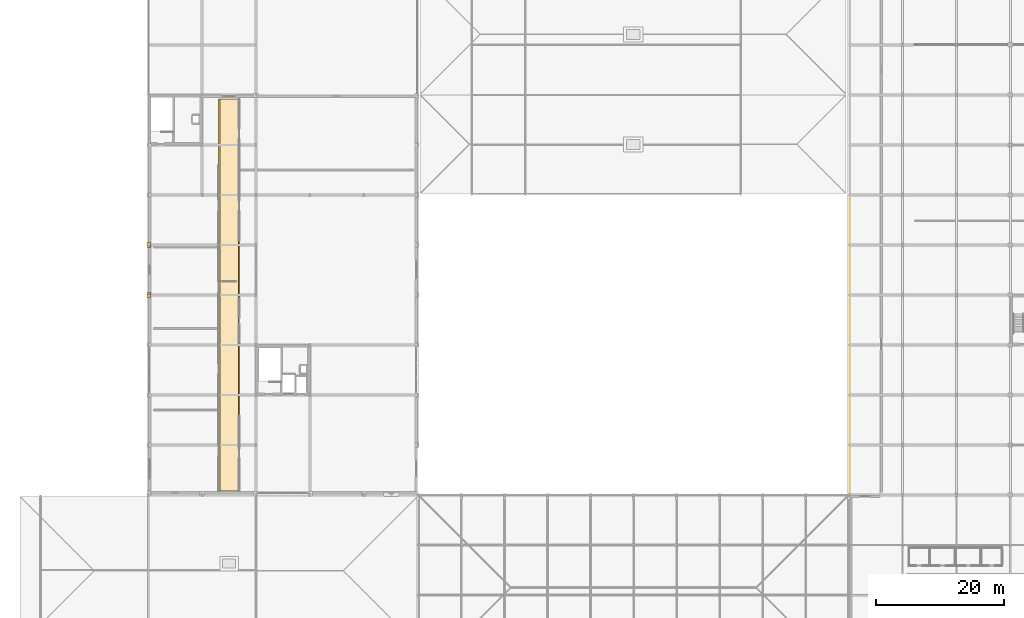
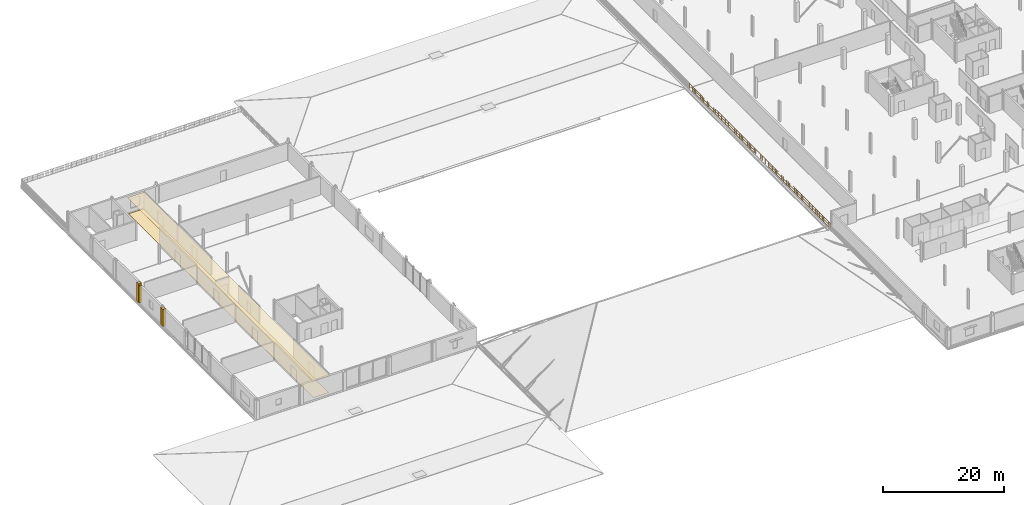
# One storey, part 70 of 77: 6 coverings, 1 railing.
"""IFC4 building model written with IfcOpenShell, lengths in metres."""

from ifc_helpers import new_model, si_unit, direction, frame, origin, origin_2d, place, context, subcontext, project, spatial, polyline, circle, outline, extrude, material, layer, layer_set, type_object, element, save


model = new_model("IFC4")

# Units and contexts
model_context = context("Model", 3, precision=1e-05, world=origin(), true_north=direction((0.0, 1.0)))
body_context = subcontext(model_context, "Body", "Model", "MODEL_VIEW")
ifc_project = project(units=[si_unit("LENGTHUNIT", "METRE"), si_unit("AREAUNIT", "SQUARE_METRE"), si_unit("VOLUMEUNIT", "CUBIC_METRE"), si_unit("PLANEANGLEUNIT", "RADIAN"), si_unit("MASSUNIT", "GRAM", prefix="KILO")], contexts=[model_context])

# Site, building, storey
site_placement = place(None, origin())
site = spatial("IfcSite", under=ifc_project, at=site_placement, CompositionType="ELEMENT")
building_placement = place(site_placement, origin())
building = spatial("IfcBuilding", under=site, at=building_placement, Name="Nabrawat Pavilion Hospital", CompositionType="ELEMENT")
storey_placement = place(building_placement, frame((0.0, 0.0, 14.85009765625)))
storey = spatial("IfcBuildingStorey", under=building, at=storey_placement, Name="L03", CompositionType="ELEMENT", Elevation=14.85009765625)

# Coverings
ifc_material_1 = material(Name="Precast concrete C40/50", Category="concrete")
ifc_layer_1 = layer(ifc_material_1, 0.360107421875, Name="Precast concrete C40/50")
ifc_layer_set_1 = layer_set([ifc_layer_1], Name="Precast concrete C40/50")
covering_type_1 = type_object("IfcCoveringType", Name="Architectural Precast Column-Jamb Closure Reveal", PredefinedType="CLADDING", material=ifc_layer_set_1)
covering_1_placement = place(storey_placement, origin())
element("IfcCovering", 1, at=covering_1_placement, inside=storey, type_object=covering_type_1, Name="L03 Precast Facade Column-Jamb Weatherseal Closure 0436", PredefinedType="CLADDING", context=body_context, shape_type="SweptSolid", body=[
    extrude(outline(polyline([(17.199951171875, 69.794921875), (17.199951171875, 70.3798828125), (16.6201171875, 70.3798828125), (16.6201171875, 69.794921875), (17.199951171875, 69.794921875)])), origin(), (0.0, 0.0, 1.0), 3.43994140625),
])
covering_2_placement = place(storey_placement, origin())
element("IfcCovering", 2, at=covering_2_placement, inside=storey, type_object=covering_type_1, Name="L03 Precast Facade Column-Jamb Weatherseal Closure 0437", PredefinedType="CLADDING", context=body_context, shape_type="SweptSolid", body=[
    extrude(outline(polyline([(17.199951171875, 70.02001953125), (17.199951171875, 70.60498046875), (16.6201171875, 70.60498046875), (16.6201171875, 70.02001953125), (17.199951171875, 70.02001953125)])), origin(), (0.0, 0.0, 1.0), 3.43994140625),
])
covering_3_placement = place(storey_placement, origin())
element("IfcCovering", 3, at=covering_3_placement, inside=storey, type_object=covering_type_1, Name="L03 Precast Facade Column-Jamb Weatherseal Closure 0438", PredefinedType="CLADDING", context=body_context, shape_type="SweptSolid", body=[
    extrude(outline(polyline([(17.199951171875, 77.594970703125), (17.199951171875, 78.179931640625), (16.6201171875, 78.179931640625), (16.6201171875, 77.594970703125), (17.199951171875, 77.594970703125)])), origin(), (0.0, 0.0, 1.0), 3.43994140625),
])
covering_4_placement = place(storey_placement, origin())
element("IfcCovering", 4, at=covering_4_placement, inside=storey, type_object=covering_type_1, Name="L03 Precast Facade Column-Jamb Weatherseal Closure 0439", PredefinedType="CLADDING", context=body_context, shape_type="SweptSolid", body=[
    extrude(outline(polyline([(17.199951171875, 77.820068359375), (17.199951171875, 78.405029296875), (16.6201171875, 78.405029296875), (16.6201171875, 77.820068359375), (17.199951171875, 77.820068359375)])), origin(), (0.0, 0.0, 1.0), 3.77001953125),
])

# Railing
ifc_material_2 = material(Name="Stainless Steel 316", Category="steel")
ifc_layer_2 = layer(ifc_material_2, 0.070068359375, Name="Stainless Steel 316")
ifc_layer_set_2 = layer_set([ifc_layer_2], Name="Stainless Steel 316")
railing_type = type_object("IfcRailingType", Name="Exterior Clinical Terrace Safety Guardrail 1100", PredefinedType="GUARDRAIL", material=ifc_layer_set_2)
railing_placement = place(storey_placement, frame((126.179931640625, 39.179931640625, 0.0)))
element("IfcRailing", 5, at=railing_placement, inside=storey, type_object=railing_type, Name="L03 Terrace Edge Safety Guardrail T_L03_WARD_STEP1_S West", PredefinedType="GUARDRAIL", context=body_context, shape_type="SweptSolid", body=[
    extrude(circle(Radius=0.02392578125, at=origin_2d()), frame((0.0, 0.0, 1.076171875), z_axis=(0.0, 1.0, 0.0), x_axis=(-1.0, 0.0, 0.0)), (0.0, 0.0, 1.0), 46.56005859375),
    extrude(circle(Radius=0.02392578125, at=origin_2d()), frame((0.0, 0.0, 0.10009765625), z_axis=(0.0, 1.0, 0.0), x_axis=(-1.0, 0.0, 0.0)), (0.0, 0.0, 1.0), 46.56005859375),
    extrude(circle(Radius=0.02392578125, at=origin_2d()), frame((0.0, 0.0, 0.60498046875), z_axis=(0.0, 1.0, 0.0), x_axis=(-1.0, 0.0, 0.0)), (0.0, 0.0, 1.0), 46.56005859375),
    extrude(circle(Radius=0.008056640625, at=origin_2d()), frame((0.0, 0.23876953125, 0.10009765625)), (0.0, 0.0, 1.0), 0.951904296875),
    extrude(circle(Radius=0.008056640625, at=origin_2d()), frame((0.0, 0.4775390625, 0.10009765625)), (0.0, 0.0, 1.0), 0.951904296875),
    extrude(circle(Radius=0.008056640625, at=origin_2d()), frame((0.0, 0.71630859375, 0.10009765625)), (0.0, 0.0, 1.0), 0.951904296875),
    extrude(circle(Radius=0.008056640625, at=origin_2d()), frame((0.0, 0.955078125, 0.10009765625)), (0.0, 0.0, 1.0), 0.951904296875),
    extrude(circle(Radius=0.008056640625, at=origin_2d()), frame((0.0, 1.4326171875, 0.10009765625)), (0.0, 0.0, 1.0), 0.951904296875),
    extrude(circle(Radius=0.008056640625, at=origin_2d()), frame((0.0, 1.67138671875, 0.10009765625)), (0.0, 0.0, 1.0), 0.951904296875),
    extrude(circle(Radius=0.008056640625, at=origin_2d()), frame((0.0, 1.91015625, 0.10009765625)), (0.0, 0.0, 1.0), 0.951904296875),
    extrude(circle(Radius=0.008056640625, at=origin_2d()), frame((0.0, 2.14892578125, 0.10009765625)), (0.0, 0.0, 1.0), 0.951904296875),
    extrude(circle(Radius=0.008056640625, at=origin_2d()), frame((0.0, 2.62646484375, 0.10009765625)), (0.0, 0.0, 1.0), 0.951904296875),
    extrude(circle(Radius=0.008056640625, at=origin_2d()), frame((0.0, 2.865234375, 0.10009765625)), (0.0, 0.0, 1.0), 0.951904296875),
    extrude(circle(Radius=0.008056640625, at=origin_2d()), frame((0.0, 3.10400390625, 0.10009765625)), (0.0, 0.0, 1.0), 0.951904296875),
    extrude(circle(Radius=0.008056640625, at=origin_2d()), frame((0.0, 3.3427734375, 0.10009765625)), (0.0, 0.0, 1.0), 0.951904296875),
    extrude(circle(Radius=0.008056640625, at=origin_2d()), frame((0.0, 3.8203125, 0.10009765625)), (0.0, 0.0, 1.0), 0.951904296875),
    extrude(circle(Radius=0.008056640625, at=origin_2d()), frame((0.0, 4.05908203125, 0.10009765625)), (0.0, 0.0, 1.0), 0.951904296875),
    extrude(circle(Radius=0.008056640625, at=origin_2d()), frame((0.0, 4.2978515625, 0.10009765625)), (0.0, 0.0, 1.0), 0.951904296875),
    extrude(circle(Radius=0.008056640625, at=origin_2d()), frame((0.0, 4.53662109375, 0.10009765625)), (0.0, 0.0, 1.0), 0.951904296875),
    extrude(circle(Radius=0.008056640625, at=origin_2d()), frame((0.0, 5.01416015625, 0.10009765625)), (0.0, 0.0, 1.0), 0.951904296875),
    extrude(circle(Radius=0.008056640625, at=origin_2d()), frame((0.0, 5.2529296875, 0.10009765625)), (0.0, 0.0, 1.0), 0.951904296875),
    extrude(circle(Radius=0.008056640625, at=origin_2d()), frame((0.0, 5.49169921875, 0.10009765625)), (0.0, 0.0, 1.0), 0.951904296875),
    extrude(circle(Radius=0.008056640625, at=origin_2d()), frame((0.0, 5.73046875, 0.10009765625)), (0.0, 0.0, 1.0), 0.951904296875),
    extrude(circle(Radius=0.008056640625, at=origin_2d()), frame((0.0, 6.2080078125, 0.10009765625)), (0.0, 0.0, 1.0), 0.951904296875),
    extrude(circle(Radius=0.008056640625, at=origin_2d()), frame((0.0, 6.44677734375, 0.10009765625)), (0.0, 0.0, 1.0), 0.951904296875),
    extrude(circle(Radius=0.008056640625, at=origin_2d()), frame((0.0, 6.685546875, 0.10009765625)), (0.0, 0.0, 1.0), 0.951904296875),
    extrude(circle(Radius=0.008056640625, at=origin_2d()), frame((0.0, 6.92431640625, 0.10009765625)), (0.0, 0.0, 1.0), 0.951904296875),
    extrude(circle(Radius=0.008056640625, at=origin_2d()), frame((0.0, 7.40185546875, 0.10009765625)), (0.0, 0.0, 1.0), 0.951904296875),
    extrude(circle(Radius=0.008056640625, at=origin_2d()), frame((0.0, 7.640625, 0.10009765625)), (0.0, 0.0, 1.0), 0.951904296875),
    extrude(circle(Radius=0.008056640625, at=origin_2d()), frame((0.0, 7.87939453125, 0.10009765625)), (0.0, 0.0, 1.0), 0.951904296875),
    extrude(circle(Radius=0.008056640625, at=origin_2d()), frame((0.0, 8.1181640625, 0.10009765625)), (0.0, 0.0, 1.0), 0.951904296875),
    extrude(circle(Radius=0.008056640625, at=origin_2d()), frame((0.0, 8.595703125, 0.10009765625)), (0.0, 0.0, 1.0), 0.951904296875),
    extrude(circle(Radius=0.008056640625, at=origin_2d()), frame((0.0, 8.83447265625, 0.10009765625)), (0.0, 0.0, 1.0), 0.951904296875),
    extrude(circle(Radius=0.008056640625, at=origin_2d()), frame((0.0, 9.0732421875, 0.10009765625)), (0.0, 0.0, 1.0), 0.951904296875),
    extrude(circle(Radius=0.008056640625, at=origin_2d()), frame((0.0, 9.31201171875, 0.10009765625)), (0.0, 0.0, 1.0), 0.951904296875),
    extrude(circle(Radius=0.008056640625, at=origin_2d()), frame((0.0, 9.78955078125, 0.10009765625)), (0.0, 0.0, 1.0), 0.951904296875),
    extrude(circle(Radius=0.008056640625, at=origin_2d()), frame((0.0, 10.0283203125, 0.10009765625)), (0.0, 0.0, 1.0), 0.951904296875),
    extrude(circle(Radius=0.008056640625, at=origin_2d()), frame((0.0, 10.26708984375, 0.10009765625)), (0.0, 0.0, 1.0), 0.951904296875),
    extrude(circle(Radius=0.008056640625, at=origin_2d()), frame((0.0, 10.505859375, 0.10009765625)), (0.0, 0.0, 1.0), 0.951904296875),
    extrude(circle(Radius=0.008056640625, at=origin_2d()), frame((0.0, 10.9833984375, 0.10009765625)), (0.0, 0.0, 1.0), 0.951904296875),
    extrude(circle(Radius=0.008056640625, at=origin_2d()), frame((0.0, 11.22216796875, 0.10009765625)), (0.0, 0.0, 1.0), 0.951904296875),
    extrude(circle(Radius=0.008056640625, at=origin_2d()), frame((0.0, 11.4609375, 0.10009765625)), (0.0, 0.0, 1.0), 0.951904296875),
    extrude(circle(Radius=0.008056640625, at=origin_2d()), frame((0.0, 11.69970703125, 0.10009765625)), (0.0, 0.0, 1.0), 0.951904296875),
    extrude(circle(Radius=0.008056640625, at=origin_2d()), frame((0.0, 12.17724609375, 0.10009765625)), (0.0, 0.0, 1.0), 0.951904296875),
    extrude(circle(Radius=0.008056640625, at=origin_2d()), frame((0.0, 12.416015625, 0.10009765625)), (0.0, 0.0, 1.0), 0.951904296875),
    extrude(circle(Radius=0.008056640625, at=origin_2d()), frame((0.0, 12.65478515625, 0.10009765625)), (0.0, 0.0, 1.0), 0.951904296875),
    extrude(circle(Radius=0.008056640625, at=origin_2d()), frame((0.0, 12.8935546875, 0.10009765625)), (0.0, 0.0, 1.0), 0.951904296875),
    extrude(circle(Radius=0.008056640625, at=origin_2d()), frame((0.0, 13.37109375, 0.10009765625)), (0.0, 0.0, 1.0), 0.951904296875),
    extrude(circle(Radius=0.008056640625, at=origin_2d()), frame((0.0, 13.60986328125, 0.10009765625)), (0.0, 0.0, 1.0), 0.951904296875),
    extrude(circle(Radius=0.008056640625, at=origin_2d()), frame((0.0, 13.8486328125, 0.10009765625)), (0.0, 0.0, 1.0), 0.951904296875),
    extrude(circle(Radius=0.008056640625, at=origin_2d()), frame((0.0, 14.08740234375, 0.10009765625)), (0.0, 0.0, 1.0), 0.951904296875),
    extrude(circle(Radius=0.008056640625, at=origin_2d()), frame((0.0, 14.56494140625, 0.10009765625)), (0.0, 0.0, 1.0), 0.951904296875),
    extrude(circle(Radius=0.008056640625, at=origin_2d()), frame((0.0, 14.8037109375, 0.10009765625)), (0.0, 0.0, 1.0), 0.951904296875),
    extrude(circle(Radius=0.008056640625, at=origin_2d()), frame((0.0, 15.04248046875, 0.10009765625)), (0.0, 0.0, 1.0), 0.951904296875),
    extrude(circle(Radius=0.008056640625, at=origin_2d()), frame((0.0, 15.28125, 0.10009765625)), (0.0, 0.0, 1.0), 0.951904296875),
    extrude(circle(Radius=0.008056640625, at=origin_2d()), frame((0.0, 15.7587890625, 0.10009765625)), (0.0, 0.0, 1.0), 0.951904296875),
    extrude(circle(Radius=0.008056640625, at=origin_2d()), frame((0.0, 15.99755859375, 0.10009765625)), (0.0, 0.0, 1.0), 0.951904296875),
    extrude(circle(Radius=0.008056640625, at=origin_2d()), frame((0.0, 16.236328125, 0.10009765625)), (0.0, 0.0, 1.0), 0.951904296875),
    extrude(circle(Radius=0.008056640625, at=origin_2d()), frame((0.0, 16.47509765625, 0.10009765625)), (0.0, 0.0, 1.0), 0.951904296875),
    extrude(circle(Radius=0.008056640625, at=origin_2d()), frame((0.0, 16.95263671875, 0.10009765625)), (0.0, 0.0, 1.0), 0.951904296875),
    extrude(circle(Radius=0.008056640625, at=origin_2d()), frame((0.0, 17.19140625, 0.10009765625)), (0.0, 0.0, 1.0), 0.951904296875),
    extrude(circle(Radius=0.008056640625, at=origin_2d()), frame((0.0, 17.43017578125, 0.10009765625)), (0.0, 0.0, 1.0), 0.951904296875),
    extrude(circle(Radius=0.008056640625, at=origin_2d()), frame((0.0, 17.6689453125, 0.10009765625)), (0.0, 0.0, 1.0), 0.951904296875),
    extrude(circle(Radius=0.008056640625, at=origin_2d()), frame((0.0, 18.146484375, 0.10009765625)), (0.0, 0.0, 1.0), 0.951904296875),
    extrude(circle(Radius=0.008056640625, at=origin_2d()), frame((0.0, 18.38525390625, 0.10009765625)), (0.0, 0.0, 1.0), 0.951904296875),
    extrude(circle(Radius=0.008056640625, at=origin_2d()), frame((0.0, 18.6240234375, 0.10009765625)), (0.0, 0.0, 1.0), 0.951904296875),
    extrude(circle(Radius=0.008056640625, at=origin_2d()), frame((0.0, 18.86279296875, 0.10009765625)), (0.0, 0.0, 1.0), 0.951904296875),
    extrude(circle(Radius=0.008056640625, at=origin_2d()), frame((0.0, 19.34033203125, 0.10009765625)), (0.0, 0.0, 1.0), 0.951904296875),
    extrude(circle(Radius=0.008056640625, at=origin_2d()), frame((0.0, 19.5791015625, 0.10009765625)), (0.0, 0.0, 1.0), 0.951904296875),
    extrude(circle(Radius=0.008056640625, at=origin_2d()), frame((0.0, 19.81787109375, 0.10009765625)), (0.0, 0.0, 1.0), 0.951904296875),
    extrude(circle(Radius=0.008056640625, at=origin_2d()), frame((0.0, 20.056640625, 0.10009765625)), (0.0, 0.0, 1.0), 0.951904296875),
    extrude(circle(Radius=0.008056640625, at=origin_2d()), frame((0.0, 20.5341796875, 0.10009765625)), (0.0, 0.0, 1.0), 0.951904296875),
    extrude(circle(Radius=0.008056640625, at=origin_2d()), frame((0.0, 20.77294921875, 0.10009765625)), (0.0, 0.0, 1.0), 0.951904296875),
    extrude(circle(Radius=0.008056640625, at=origin_2d()), frame((0.0, 21.01171875, 0.10009765625)), (0.0, 0.0, 1.0), 0.951904296875),
    extrude(circle(Radius=0.008056640625, at=origin_2d()), frame((0.0, 21.25048828125, 0.10009765625)), (0.0, 0.0, 1.0), 0.951904296875),
    extrude(circle(Radius=0.008056640625, at=origin_2d()), frame((0.0, 21.72802734375, 0.10009765625)), (0.0, 0.0, 1.0), 0.951904296875),
    extrude(circle(Radius=0.008056640625, at=origin_2d()), frame((0.0, 21.966796875, 0.10009765625)), (0.0, 0.0, 1.0), 0.951904296875),
    extrude(circle(Radius=0.008056640625, at=origin_2d()), frame((0.0, 22.20556640625, 0.10009765625)), (0.0, 0.0, 1.0), 0.951904296875),
    extrude(circle(Radius=0.008056640625, at=origin_2d()), frame((0.0, 22.4443359375, 0.10009765625)), (0.0, 0.0, 1.0), 0.951904296875),
    extrude(circle(Radius=0.008056640625, at=origin_2d()), frame((0.0, 22.921875, 0.10009765625)), (0.0, 0.0, 1.0), 0.951904296875),
    extrude(circle(Radius=0.008056640625, at=origin_2d()), frame((0.0, 23.16064453125, 0.10009765625)), (0.0, 0.0, 1.0), 0.951904296875),
    extrude(circle(Radius=0.008056640625, at=origin_2d()), frame((0.0, 23.3994140625, 0.10009765625)), (0.0, 0.0, 1.0), 0.951904296875),
    extrude(circle(Radius=0.008056640625, at=origin_2d()), frame((0.0, 23.63818359375, 0.10009765625)), (0.0, 0.0, 1.0), 0.951904296875),
    extrude(circle(Radius=0.008056640625, at=origin_2d()), frame((0.0, 24.11572265625, 0.10009765625)), (0.0, 0.0, 1.0), 0.951904296875),
    extrude(circle(Radius=0.008056640625, at=origin_2d()), frame((0.0, 24.3544921875, 0.10009765625)), (0.0, 0.0, 1.0), 0.951904296875),
    extrude(circle(Radius=0.008056640625, at=origin_2d()), frame((0.0, 24.59326171875, 0.10009765625)), (0.0, 0.0, 1.0), 0.951904296875),
    extrude(circle(Radius=0.008056640625, at=origin_2d()), frame((0.0, 24.83203125, 0.10009765625)), (0.0, 0.0, 1.0), 0.951904296875),
    extrude(circle(Radius=0.008056640625, at=origin_2d()), frame((0.0, 25.3095703125, 0.10009765625)), (0.0, 0.0, 1.0), 0.951904296875),
    extrude(circle(Radius=0.008056640625, at=origin_2d()), frame((0.0, 25.54833984375, 0.10009765625)), (0.0, 0.0, 1.0), 0.951904296875),
    extrude(circle(Radius=0.008056640625, at=origin_2d()), frame((0.0, 25.787109375, 0.10009765625)), (0.0, 0.0, 1.0), 0.951904296875),
    extrude(circle(Radius=0.008056640625, at=origin_2d()), frame((0.0, 26.02587890625, 0.10009765625)), (0.0, 0.0, 1.0), 0.951904296875),
    extrude(circle(Radius=0.008056640625, at=origin_2d()), frame((0.0, 26.50341796875, 0.10009765625)), (0.0, 0.0, 1.0), 0.951904296875),
    extrude(circle(Radius=0.008056640625, at=origin_2d()), frame((0.0, 26.7421875, 0.10009765625)), (0.0, 0.0, 1.0), 0.951904296875),
    extrude(circle(Radius=0.008056640625, at=origin_2d()), frame((0.0, 26.98095703125, 0.10009765625)), (0.0, 0.0, 1.0), 0.951904296875),
    extrude(circle(Radius=0.008056640625, at=origin_2d()), frame((0.0, 27.2197265625, 0.10009765625)), (0.0, 0.0, 1.0), 0.951904296875),
    extrude(circle(Radius=0.008056640625, at=origin_2d()), frame((0.0, 27.697265625, 0.10009765625)), (0.0, 0.0, 1.0), 0.951904296875),
    extrude(circle(Radius=0.008056640625, at=origin_2d()), frame((0.0, 27.93603515625, 0.10009765625)), (0.0, 0.0, 1.0), 0.951904296875),
    extrude(circle(Radius=0.008056640625, at=origin_2d()), frame((0.0, 28.1748046875, 0.10009765625)), (0.0, 0.0, 1.0), 0.951904296875),
    extrude(circle(Radius=0.008056640625, at=origin_2d()), frame((0.0, 28.41357421875, 0.10009765625)), (0.0, 0.0, 1.0), 0.951904296875),
    extrude(circle(Radius=0.008056640625, at=origin_2d()), frame((0.0, 28.89111328125, 0.10009765625)), (0.0, 0.0, 1.0), 0.951904296875),
    extrude(circle(Radius=0.008056640625, at=origin_2d()), frame((0.0, 29.1298828125, 0.10009765625)), (0.0, 0.0, 1.0), 0.951904296875),
    extrude(circle(Radius=0.008056640625, at=origin_2d()), frame((0.0, 29.36865234375, 0.10009765625)), (0.0, 0.0, 1.0), 0.951904296875),
    extrude(circle(Radius=0.008056640625, at=origin_2d()), frame((0.0, 29.607421875, 0.10009765625)), (0.0, 0.0, 1.0), 0.951904296875),
    extrude(circle(Radius=0.008056640625, at=origin_2d()), frame((0.0, 30.0849609375, 0.10009765625)), (0.0, 0.0, 1.0), 0.951904296875),
    extrude(circle(Radius=0.008056640625, at=origin_2d()), frame((0.0, 30.32373046875, 0.10009765625)), (0.0, 0.0, 1.0), 0.951904296875),
    extrude(circle(Radius=0.008056640625, at=origin_2d()), frame((0.0, 30.5625, 0.10009765625)), (0.0, 0.0, 1.0), 0.951904296875),
    extrude(circle(Radius=0.008056640625, at=origin_2d()), frame((0.0, 30.80126953125, 0.10009765625)), (0.0, 0.0, 1.0), 0.951904296875),
    extrude(circle(Radius=0.008056640625, at=origin_2d()), frame((0.0, 31.27880859375, 0.10009765625)), (0.0, 0.0, 1.0), 0.951904296875),
    extrude(circle(Radius=0.008056640625, at=origin_2d()), frame((0.0, 31.517578125, 0.10009765625)), (0.0, 0.0, 1.0), 0.951904296875),
    extrude(circle(Radius=0.008056640625, at=origin_2d()), frame((0.0, 31.75634765625, 0.10009765625)), (0.0, 0.0, 1.0), 0.951904296875),
    extrude(circle(Radius=0.008056640625, at=origin_2d()), frame((0.0, 31.9951171875, 0.10009765625)), (0.0, 0.0, 1.0), 0.951904296875),
    extrude(circle(Radius=0.008056640625, at=origin_2d()), frame((0.0, 32.47265625, 0.10009765625)), (0.0, 0.0, 1.0), 0.951904296875),
    extrude(circle(Radius=0.008056640625, at=origin_2d()), frame((0.0, 32.71142578125, 0.10009765625)), (0.0, 0.0, 1.0), 0.951904296875),
    extrude(circle(Radius=0.008056640625, at=origin_2d()), frame((0.0, 32.9501953125, 0.10009765625)), (0.0, 0.0, 1.0), 0.951904296875),
    extrude(circle(Radius=0.008056640625, at=origin_2d()), frame((0.0, 33.18896484375, 0.10009765625)), (0.0, 0.0, 1.0), 0.951904296875),
    extrude(circle(Radius=0.008056640625, at=origin_2d()), frame((0.0, 33.66650390625, 0.10009765625)), (0.0, 0.0, 1.0), 0.951904296875),
    extrude(circle(Radius=0.008056640625, at=origin_2d()), frame((0.0, 33.9052734375, 0.10009765625)), (0.0, 0.0, 1.0), 0.951904296875),
    extrude(circle(Radius=0.008056640625, at=origin_2d()), frame((0.0, 34.14404296875, 0.10009765625)), (0.0, 0.0, 1.0), 0.951904296875),
    extrude(circle(Radius=0.008056640625, at=origin_2d()), frame((0.0, 34.3828125, 0.10009765625)), (0.0, 0.0, 1.0), 0.951904296875),
    extrude(circle(Radius=0.008056640625, at=origin_2d()), frame((0.0, 34.8603515625, 0.10009765625)), (0.0, 0.0, 1.0), 0.951904296875),
    extrude(circle(Radius=0.008056640625, at=origin_2d()), frame((0.0, 35.09912109375, 0.10009765625)), (0.0, 0.0, 1.0), 0.951904296875),
    extrude(circle(Radius=0.008056640625, at=origin_2d()), frame((0.0, 35.337890625, 0.10009765625)), (0.0, 0.0, 1.0), 0.951904296875),
    extrude(circle(Radius=0.008056640625, at=origin_2d()), frame((0.0, 35.57666015625, 0.10009765625)), (0.0, 0.0, 1.0), 0.951904296875),
    extrude(circle(Radius=0.008056640625, at=origin_2d()), frame((0.0, 36.05419921875, 0.10009765625)), (0.0, 0.0, 1.0), 0.951904296875),
    extrude(circle(Radius=0.008056640625, at=origin_2d()), frame((0.0, 36.29296875, 0.10009765625)), (0.0, 0.0, 1.0), 0.951904296875),
    extrude(circle(Radius=0.008056640625, at=origin_2d()), frame((0.0, 36.53173828125, 0.10009765625)), (0.0, 0.0, 1.0), 0.951904296875),
    extrude(circle(Radius=0.008056640625, at=origin_2d()), frame((0.0, 36.7705078125, 0.10009765625)), (0.0, 0.0, 1.0), 0.951904296875),
    extrude(circle(Radius=0.008056640625, at=origin_2d()), frame((0.0, 37.248046875, 0.10009765625)), (0.0, 0.0, 1.0), 0.951904296875),
    extrude(circle(Radius=0.008056640625, at=origin_2d()), frame((0.0, 37.48681640625, 0.10009765625)), (0.0, 0.0, 1.0), 0.951904296875),
    extrude(circle(Radius=0.008056640625, at=origin_2d()), frame((0.0, 37.7255859375, 0.10009765625)), (0.0, 0.0, 1.0), 0.951904296875),
    extrude(circle(Radius=0.008056640625, at=origin_2d()), frame((0.0, 37.96435546875, 0.10009765625)), (0.0, 0.0, 1.0), 0.951904296875),
    extrude(circle(Radius=0.008056640625, at=origin_2d()), frame((0.0, 38.44189453125, 0.10009765625)), (0.0, 0.0, 1.0), 0.951904296875),
    extrude(circle(Radius=0.008056640625, at=origin_2d()), frame((0.0, 38.6806640625, 0.10009765625)), (0.0, 0.0, 1.0), 0.951904296875),
    extrude(circle(Radius=0.008056640625, at=origin_2d()), frame((0.0, 38.91943359375, 0.10009765625)), (0.0, 0.0, 1.0), 0.951904296875),
    extrude(circle(Radius=0.008056640625, at=origin_2d()), frame((0.0, 39.158203125, 0.10009765625)), (0.0, 0.0, 1.0), 0.951904296875),
    extrude(circle(Radius=0.008056640625, at=origin_2d()), frame((0.0, 39.6357421875, 0.10009765625)), (0.0, 0.0, 1.0), 0.951904296875),
    extrude(circle(Radius=0.008056640625, at=origin_2d()), frame((0.0, 39.87451171875, 0.10009765625)), (0.0, 0.0, 1.0), 0.951904296875),
    extrude(circle(Radius=0.008056640625, at=origin_2d()), frame((0.0, 40.11328125, 0.10009765625)), (0.0, 0.0, 1.0), 0.951904296875),
    extrude(circle(Radius=0.008056640625, at=origin_2d()), frame((0.0, 40.35205078125, 0.10009765625)), (0.0, 0.0, 1.0), 0.951904296875),
    extrude(circle(Radius=0.008056640625, at=origin_2d()), frame((0.0, 40.82958984375, 0.10009765625)), (0.0, 0.0, 1.0), 0.951904296875),
    extrude(circle(Radius=0.008056640625, at=origin_2d()), frame((0.0, 41.068359375, 0.10009765625)), (0.0, 0.0, 1.0), 0.951904296875),
    extrude(circle(Radius=0.008056640625, at=origin_2d()), frame((0.0, 41.30712890625, 0.10009765625)), (0.0, 0.0, 1.0), 0.951904296875),
    extrude(circle(Radius=0.008056640625, at=origin_2d()), frame((0.0, 41.5458984375, 0.10009765625)), (0.0, 0.0, 1.0), 0.951904296875),
    extrude(circle(Radius=0.008056640625, at=origin_2d()), frame((0.0, 42.0234375, 0.10009765625)), (0.0, 0.0, 1.0), 0.951904296875),
    extrude(circle(Radius=0.008056640625, at=origin_2d()), frame((0.0, 42.26220703125, 0.10009765625)), (0.0, 0.0, 1.0), 0.951904296875),
    extrude(circle(Radius=0.008056640625, at=origin_2d()), frame((0.0, 42.5009765625, 0.10009765625)), (0.0, 0.0, 1.0), 0.951904296875),
    extrude(circle(Radius=0.008056640625, at=origin_2d()), frame((0.0, 42.73974609375, 0.10009765625)), (0.0, 0.0, 1.0), 0.951904296875),
    extrude(circle(Radius=0.008056640625, at=origin_2d()), frame((0.0, 43.21728515625, 0.10009765625)), (0.0, 0.0, 1.0), 0.951904296875),
    extrude(circle(Radius=0.008056640625, at=origin_2d()), frame((0.0, 43.4560546875, 0.10009765625)), (0.0, 0.0, 1.0), 0.951904296875),
    extrude(circle(Radius=0.008056640625, at=origin_2d()), frame((0.0, 43.69482421875, 0.10009765625)), (0.0, 0.0, 1.0), 0.951904296875),
    extrude(circle(Radius=0.008056640625, at=origin_2d()), frame((0.0, 43.93359375, 0.10009765625)), (0.0, 0.0, 1.0), 0.951904296875),
    extrude(circle(Radius=0.008056640625, at=origin_2d()), frame((0.0, 44.4111328125, 0.10009765625)), (0.0, 0.0, 1.0), 0.951904296875),
    extrude(circle(Radius=0.008056640625, at=origin_2d()), frame((0.0, 44.64990234375, 0.10009765625)), (0.0, 0.0, 1.0), 0.951904296875),
    extrude(circle(Radius=0.008056640625, at=origin_2d()), frame((0.0, 44.888671875, 0.10009765625)), (0.0, 0.0, 1.0), 0.951904296875),
    extrude(circle(Radius=0.008056640625, at=origin_2d()), frame((0.0, 45.12744140625, 0.10009765625)), (0.0, 0.0, 1.0), 0.951904296875),
    extrude(circle(Radius=0.008056640625, at=origin_2d()), frame((0.0, 45.60498046875, 0.10009765625)), (0.0, 0.0, 1.0), 0.951904296875),
    extrude(circle(Radius=0.008056640625, at=origin_2d()), frame((0.0, 45.84375, 0.10009765625)), (0.0, 0.0, 1.0), 0.951904296875),
    extrude(circle(Radius=0.008056640625, at=origin_2d()), frame((0.0, 46.08251953125, 0.10009765625)), (0.0, 0.0, 1.0), 0.951904296875),
    extrude(circle(Radius=0.008056640625, at=origin_2d()), frame((0.0, 46.3212890625, 0.10009765625)), (0.0, 0.0, 1.0), 0.951904296875),
    extrude(circle(Radius=0.02099609375, at=origin_2d()), origin(), (0.0, 0.0, 1.0), 1.052001953125),
    extrude(circle(Radius=0.02099609375, at=origin_2d()), frame((0.0, 1.19384765625, 0.0)), (0.0, 0.0, 1.0), 1.052001953125),
    extrude(circle(Radius=0.02099609375, at=origin_2d()), frame((0.0, 2.3876953125, 0.0)), (0.0, 0.0, 1.0), 1.052001953125),
    extrude(circle(Radius=0.02099609375, at=origin_2d()), frame((0.0, 3.58154296875, 0.0)), (0.0, 0.0, 1.0), 1.052001953125),
    extrude(circle(Radius=0.02099609375, at=origin_2d()), frame((0.0, 4.775390625, 0.0)), (0.0, 0.0, 1.0), 1.052001953125),
    extrude(circle(Radius=0.02099609375, at=origin_2d()), frame((0.0, 5.96923828125, 0.0)), (0.0, 0.0, 1.0), 1.052001953125),
    extrude(circle(Radius=0.02099609375, at=origin_2d()), frame((0.0, 7.1630859375, 0.0)), (0.0, 0.0, 1.0), 1.052001953125),
    extrude(circle(Radius=0.02099609375, at=origin_2d()), frame((0.0, 8.35693359375, 0.0)), (0.0, 0.0, 1.0), 1.052001953125),
    extrude(circle(Radius=0.02099609375, at=origin_2d()), frame((0.0, 9.55078125, 0.0)), (0.0, 0.0, 1.0), 1.052001953125),
    extrude(circle(Radius=0.02099609375, at=origin_2d()), frame((0.0, 10.74462890625, 0.0)), (0.0, 0.0, 1.0), 1.052001953125),
    extrude(circle(Radius=0.02099609375, at=origin_2d()), frame((0.0, 11.9384765625, 0.0)), (0.0, 0.0, 1.0), 1.052001953125),
    extrude(circle(Radius=0.02099609375, at=origin_2d()), frame((0.0, 13.13232421875, 0.0)), (0.0, 0.0, 1.0), 1.052001953125),
    extrude(circle(Radius=0.02099609375, at=origin_2d()), frame((0.0, 14.326171875, 0.0)), (0.0, 0.0, 1.0), 1.052001953125),
    extrude(circle(Radius=0.02099609375, at=origin_2d()), frame((0.0, 15.52001953125, 0.0)), (0.0, 0.0, 1.0), 1.052001953125),
    extrude(circle(Radius=0.02099609375, at=origin_2d()), frame((0.0, 16.7138671875, 0.0)), (0.0, 0.0, 1.0), 1.052001953125),
    extrude(circle(Radius=0.02099609375, at=origin_2d()), frame((0.0, 17.90771484375, 0.0)), (0.0, 0.0, 1.0), 1.052001953125),
    extrude(circle(Radius=0.02099609375, at=origin_2d()), frame((0.0, 19.1015625, 0.0)), (0.0, 0.0, 1.0), 1.052001953125),
    extrude(circle(Radius=0.02099609375, at=origin_2d()), frame((0.0, 20.29541015625, 0.0)), (0.0, 0.0, 1.0), 1.052001953125),
    extrude(circle(Radius=0.02099609375, at=origin_2d()), frame((0.0, 21.4892578125, 0.0)), (0.0, 0.0, 1.0), 1.052001953125),
    extrude(circle(Radius=0.02099609375, at=origin_2d()), frame((0.0, 22.68310546875, 0.0)), (0.0, 0.0, 1.0), 1.052001953125),
    extrude(circle(Radius=0.02099609375, at=origin_2d()), frame((0.0, 23.876953125, 0.0)), (0.0, 0.0, 1.0), 1.052001953125),
    extrude(circle(Radius=0.02099609375, at=origin_2d()), frame((0.0, 25.07080078125, 0.0)), (0.0, 0.0, 1.0), 1.052001953125),
    extrude(circle(Radius=0.02099609375, at=origin_2d()), frame((0.0, 26.2646484375, 0.0)), (0.0, 0.0, 1.0), 1.052001953125),
    extrude(circle(Radius=0.02099609375, at=origin_2d()), frame((0.0, 27.45849609375, 0.0)), (0.0, 0.0, 1.0), 1.052001953125),
    extrude(circle(Radius=0.02099609375, at=origin_2d()), frame((0.0, 28.65234375, 0.0)), (0.0, 0.0, 1.0), 1.052001953125),
    extrude(circle(Radius=0.02099609375, at=origin_2d()), frame((0.0, 29.84619140625, 0.0)), (0.0, 0.0, 1.0), 1.052001953125),
    extrude(circle(Radius=0.02099609375, at=origin_2d()), frame((0.0, 31.0400390625, 0.0)), (0.0, 0.0, 1.0), 1.052001953125),
    extrude(circle(Radius=0.02099609375, at=origin_2d()), frame((0.0, 32.23388671875, 0.0)), (0.0, 0.0, 1.0), 1.052001953125),
    extrude(circle(Radius=0.02099609375, at=origin_2d()), frame((0.0, 33.427734375, 0.0)), (0.0, 0.0, 1.0), 1.052001953125),
    extrude(circle(Radius=0.02099609375, at=origin_2d()), frame((0.0, 34.62158203125, 0.0)), (0.0, 0.0, 1.0), 1.052001953125),
    extrude(circle(Radius=0.02099609375, at=origin_2d()), frame((0.0, 35.8154296875, 0.0)), (0.0, 0.0, 1.0), 1.052001953125),
    extrude(circle(Radius=0.02099609375, at=origin_2d()), frame((0.0, 37.00927734375, 0.0)), (0.0, 0.0, 1.0), 1.052001953125),
    extrude(circle(Radius=0.02099609375, at=origin_2d()), frame((0.0, 38.203125, 0.0)), (0.0, 0.0, 1.0), 1.052001953125),
    extrude(circle(Radius=0.02099609375, at=origin_2d()), frame((0.0, 39.39697265625, 0.0)), (0.0, 0.0, 1.0), 1.052001953125),
    extrude(circle(Radius=0.02099609375, at=origin_2d()), frame((0.0, 40.5908203125, 0.0)), (0.0, 0.0, 1.0), 1.052001953125),
    extrude(circle(Radius=0.02099609375, at=origin_2d()), frame((0.0, 41.78466796875, 0.0)), (0.0, 0.0, 1.0), 1.052001953125),
    extrude(circle(Radius=0.02099609375, at=origin_2d()), frame((0.0, 42.978515625, 0.0)), (0.0, 0.0, 1.0), 1.052001953125),
    extrude(circle(Radius=0.02099609375, at=origin_2d()), frame((0.0, 44.17236328125, 0.0)), (0.0, 0.0, 1.0), 1.052001953125),
    extrude(circle(Radius=0.02099609375, at=origin_2d()), frame((0.0, 45.3662109375, 0.0)), (0.0, 0.0, 1.0), 1.052001953125),
    extrude(circle(Radius=0.02099609375, at=origin_2d()), frame((0.0, 46.56005859375, 0.0)), (0.0, 0.0, 1.0), 1.052001953125),
])

# Coverings
ifc_material_3 = material(Name="Mineral-Fibre Hygienic Acoustic Board", Category="gypsum")
ifc_layer_3 = layer(ifc_material_3, 0.02490234375, Name="Mineral-Fibre Hygienic Acoustic Board")
ifc_layer_set_3 = layer_set([ifc_layer_3], Name="Mineral-Fibre Hygienic Acoustic Board")
covering_type_2 = type_object("IfcCoveringType", Name="Hygienic Anti-Bacterial Acoustic Tile Ceiling", PredefinedType="CEILING", material=ifc_layer_set_3)
covering_5_placement = place(storey_placement, frame((0.0, 0.0, 3.31982421875)))
element("IfcCovering", 6, at=covering_5_placement, inside=storey, type_object=covering_type_2, Name="L03 Clinical Corridor Acoustic Ceiling 07", PredefinedType="CEILING", context=body_context, shape_type="SweptSolid", body=[
    extrude(outline(polyline([(31.030029296875, 39.64990234375), (31.030029296875, 100.75), (27.77001953125, 100.75), (27.77001953125, 39.64990234375), (31.030029296875, 39.64990234375)])), origin(), (0.0, 0.0, 1.0), 0.025146484375),
])
ifc_material_4 = material(Name="Homogeneous Medical PVC Vinyl", Category="plastic")
ifc_layer_4 = layer(ifc_material_4, 0.014892578125, Name="Homogeneous Medical PVC Vinyl")
ifc_layer_set_4 = layer_set([ifc_layer_4], Name="Homogeneous Medical PVC Vinyl")
covering_type_3 = type_object("IfcCoveringType", Name="Seamless Anti-Static Medical Vinyl Flooring", PredefinedType="FLOORING", material=ifc_layer_set_4)
covering_6_placement = place(storey_placement, origin())
element("IfcCovering", 7, at=covering_6_placement, inside=storey, type_object=covering_type_3, Name="L03 Clinical Corridor Medical Vinyl Flooring 07", PredefinedType="FLOORING", context=body_context, shape_type="SweptSolid", body=[
    extrude(outline(polyline([(30.85009765625, 39.64990234375), (30.85009765625, 100.75), (27.949951171875, 100.75), (27.949951171875, 39.64990234375), (30.85009765625, 39.64990234375)])), origin(), (0.0, 0.0, 1.0), 0.014892578125),
])

save(model, "model.ifc")
